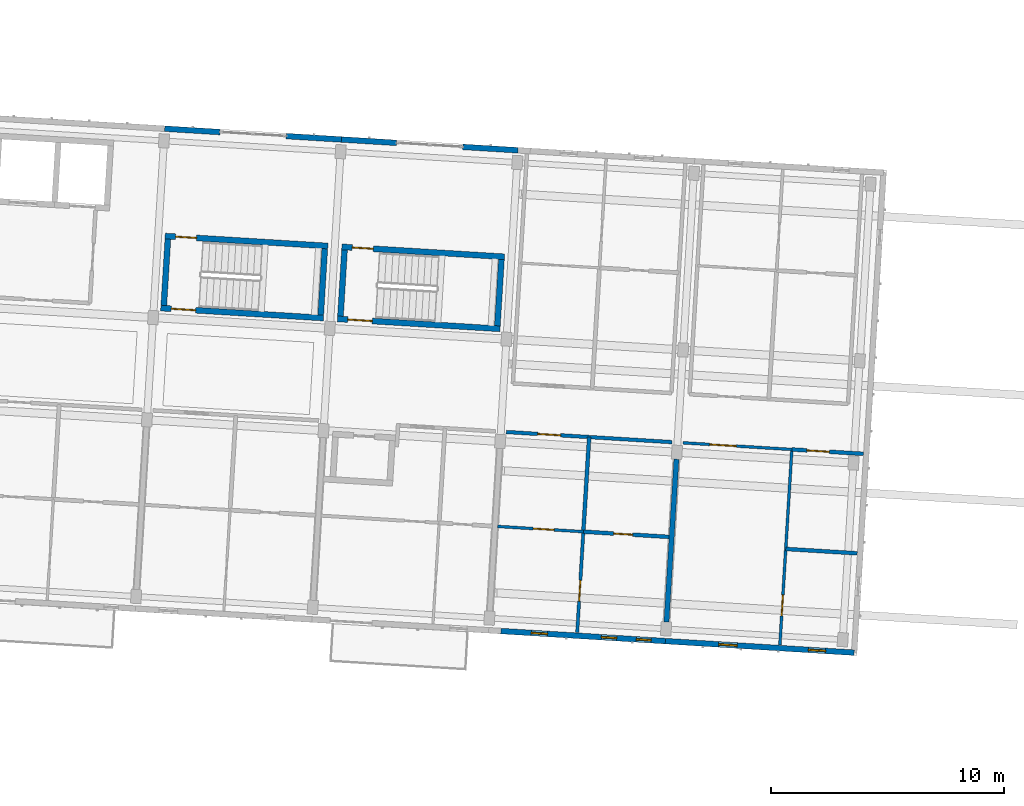
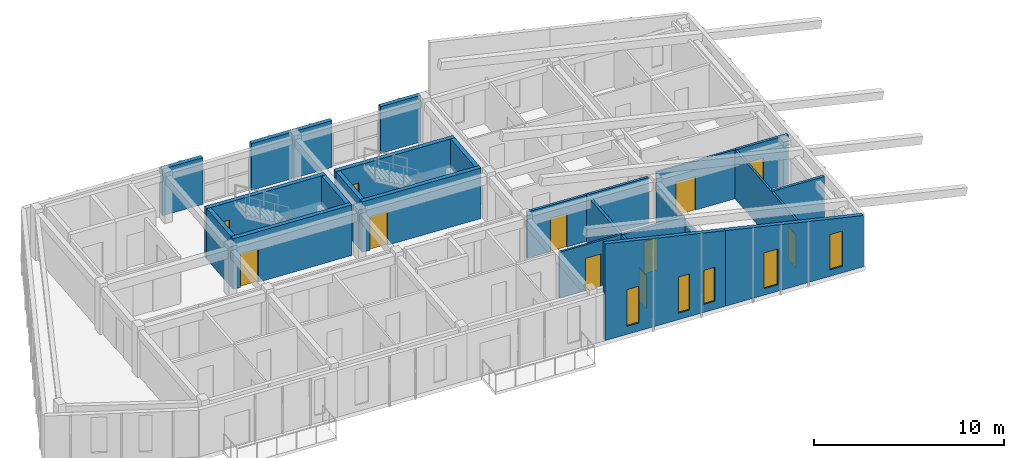
# One storey, part 25 of 56: 24 walls, 11 doors, 5 windows, 16 openings.
"""IFC4 building model written with IfcOpenShell, lengths in metres."""

from ifc_helpers import new_model, si_unit, direction, frame, frame_2d, origin, place, context, subcontext, project, spatial, polyline, rectangle, outline, extrude, material, layer, layer_set, type_object, element, fill, save


model = new_model("IFC4")

# Units and contexts
model_context = context("Model", 3, precision=1e-05, world=origin(), true_north=direction((0.0, 1.0)))
body_context = subcontext(model_context, "Body", "Model", "MODEL_VIEW")
ifc_project = project(units=[si_unit("LENGTHUNIT", "METRE"), si_unit("AREAUNIT", "SQUARE_METRE"), si_unit("VOLUMEUNIT", "CUBIC_METRE"), si_unit("PLANEANGLEUNIT", "RADIAN"), si_unit("MASSUNIT", "GRAM", prefix="KILO")], contexts=[model_context])

# Site, building, storey
site_placement = place(None, origin())
site = spatial("IfcSite", under=ifc_project, at=site_placement, CompositionType="ELEMENT")
building_placement = place(site_placement, origin())
building = spatial("IfcBuilding", under=site, at=building_placement, Name="Kestramere Prow Commons", CompositionType="ELEMENT")
storey_placement = place(building_placement, frame((0.0, 0.0, 27.89990234375)))
storey = spatial("IfcBuildingStorey", under=building, at=storey_placement, Name="L08", CompositionType="ELEMENT", Elevation=27.89990234375)

# Wall, openings, windows
ifc_material_1 = material(Name="Fluoropolymer Standing-Seam Zinc-Aluminium Cladding", Category="aluminium")
ifc_layer_1 = layer(ifc_material_1, 0.239990234375)
ifc_layer_set_1 = layer_set([ifc_layer_1], Name="Fluoropolymer Standing-Seam Zinc-Aluminium Cladding")
wall_type_1 = type_object("IfcWallType", Name="EW-SEAM-240", PredefinedType="SOLIDWALL", material=ifc_layer_set_1)
wall_1_placement = place(storey_placement, frame((89.811279296875, 44.1201171875, 0.0), z_axis=(0.0, 0.0, 1.0), x_axis=(-0.998135069216, 0.061044111925, 0.0)))
wall_1 = element("IfcWall", 1, at=wall_1_placement, inside=storey, type_object=wall_type_1, Name="Block C L08 South Standing-Seam Wall 4", PredefinedType="SOLIDWALL", context=body_context, shape_type="SweptSolid", body=[
    extrude(outline(polyline([(0.0, 0.0), (7.074951171875, 0.0), (7.074951171875, 6.22216796875), (0.0, 4.86083984375), (0.0, 0.0)])), frame((0.0, 0.1201171875, 0.0), z_axis=(0.0, -1.0, 0.0), x_axis=(1.0, 0.0, 0.0)), (0.0, 0.0, 1.0), 0.239990234375),
])
opening_1_placement = place(wall_1_placement, frame((0.610107421875, 0.0, 0.52001953125)))
opening_1 = element("IfcOpeningElement", 2, at=opening_1_placement, cuts=wall_1, Name="Opening WN-04", PredefinedType="OPENING", context=body_context, shape_type="SweptSolid", body=[
    extrude(rectangle(XDim=0.639892578125, YDim=2.179931640625, at=frame_2d((0.31982421875, 1.08984375))), frame((0.0, 0.135009765625, 0.0), z_axis=(0.0, -1.0, 0.0), x_axis=(1.0, 0.0, 0.0)), (0.0, 0.0, 1.0), 0.27001953125),
])
opening_2_placement = place(wall_1_placement, frame((2.092041015625, 0.0, 0.419921875)))
opening_2 = element("IfcOpeningElement", 3, at=opening_2_placement, cuts=wall_1, Name="Opening WN-05", PredefinedType="OPENING", context=body_context, shape_type="SweptSolid", body=[
    extrude(rectangle(XDim=0.659912109375, YDim=2.320068359375, at=frame_2d((0.330078125, 1.16015625))), frame((0.0, 0.135009765625, 0.0), z_axis=(0.0, -1.0, 0.0), x_axis=(1.0, 0.0, 0.0)), (0.0, 0.0, 1.0), 0.27001953125),
])
opening_3_placement = place(wall_1_placement, frame((5.069091796875, 0.0, 0.52001953125)))
opening_3 = element("IfcOpeningElement", 4, at=opening_3_placement, cuts=wall_1, Name="Opening WN-07", PredefinedType="OPENING", context=body_context, shape_type="SweptSolid", body=[
    extrude(rectangle(XDim=0.699951171875, YDim=2.360107421875, at=frame_2d((0.35009765625, 1.18017578125))), frame((0.0, 0.135009765625, 0.0), z_axis=(0.0, -1.0, 0.0), x_axis=(1.0, 0.0, 0.0)), (0.0, 0.0, 1.0), 0.27001953125),
])
ifc_material_2 = material(Name="Low-E Laminated Double Glazing", Category="glass")
window_type_1 = type_object("IfcWindowType", Name="WN-NAR-640A", PartitioningType="SINGLE_PANEL", PredefinedType="WINDOW", material=ifc_material_2)
window_1_placement = place(opening_1_placement, origin())
window_1 = element("IfcWindow", 5, at=window_1_placement, inside=storey, type_object=window_type_1, Name="WN-C-L08-S-3-00", OverallHeight=2.179931640625, OverallWidth=0.639892578125, PartitioningType="SINGLE_PANEL", PredefinedType="WINDOW", context=body_context, shape_type="SweptSolid", body=[
    extrude(rectangle(XDim=0.639892578125, YDim=2.179931640625, at=frame_2d((0.31982421875, 1.08984375))), frame((0.0, 0.030029296875, 0.0), z_axis=(0.0, -1.0, 0.0), x_axis=(1.0, 0.0, 0.0)), (0.0, 0.0, 1.0), 0.06005859375),
])
fill(opening_1, window_1)
window_type_2 = type_object("IfcWindowType", Name="WN-NAR-660A", PartitioningType="SINGLE_PANEL", PredefinedType="WINDOW", material=ifc_material_2)
window_2_placement = place(opening_2_placement, origin())
window_2 = element("IfcWindow", 6, at=window_2_placement, inside=storey, type_object=window_type_2, Name="WN-C-L08-S-3-01", OverallHeight=2.320068359375, OverallWidth=0.659912109375, PartitioningType="SINGLE_PANEL", PredefinedType="WINDOW", context=body_context, shape_type="SweptSolid", body=[
    extrude(rectangle(XDim=0.659912109375, YDim=2.320068359375, at=frame_2d((0.330078125, 1.16015625))), frame((0.0, 0.030029296875, 0.0), z_axis=(0.0, -1.0, 0.0), x_axis=(1.0, 0.0, 0.0)), (0.0, 0.0, 1.0), 0.06005859375),
])
fill(opening_2, window_2)
window_type_3 = type_object("IfcWindowType", Name="WN-NAR-700A", PartitioningType="SINGLE_PANEL", PredefinedType="WINDOW", material=ifc_material_2)
window_3_placement = place(opening_3_placement, origin())
window_3 = element("IfcWindow", 7, at=window_3_placement, inside=storey, type_object=window_type_3, Name="WN-C-L08-S-3-10", OverallHeight=2.360107421875, OverallWidth=0.699951171875, PartitioningType="SINGLE_PANEL", PredefinedType="WINDOW", context=body_context, shape_type="SweptSolid", body=[
    extrude(rectangle(XDim=0.699951171875, YDim=2.360107421875, at=frame_2d((0.35009765625, 1.18017578125))), frame((0.0, 0.030029296875, 0.0), z_axis=(0.0, -1.0, 0.0), x_axis=(1.0, 0.0, 0.0)), (0.0, 0.0, 1.0), 0.06005859375),
])
fill(opening_3, window_3)

wall_2_placement = place(storey_placement, frame((97.921142578125, 43.6240234375, 0.0), z_axis=(0.0, 0.0, 1.0), x_axis=(-0.998134248939, 0.061057522844, 0.0)))
wall_2 = element("IfcWall", 8, at=wall_2_placement, inside=storey, type_object=wall_type_1, Name="Block C L08 South Standing-Seam Wall 5", PredefinedType="SOLIDWALL", context=body_context, shape_type="SweptSolid", body=[
    extrude(outline(polyline([(0.0, 0.0), (8.125, 0.0), (8.125, 4.86083984375), (0.0, 3.297607421875), (0.0, 0.0)])), frame((0.0, 0.1201171875, 0.0), z_axis=(0.0, -1.0, 0.0), x_axis=(1.0, 0.0, 0.0)), (0.0, 0.0, 1.0), 0.239990234375),
])
opening_4_placement = place(wall_2_placement, frame((1.229736328125, 0.0, 0.419921875)))
opening_4 = element("IfcOpeningElement", 9, at=opening_4_placement, cuts=wall_2, Name="Opening WN-09", PredefinedType="OPENING", context=body_context, shape_type="SweptSolid", body=[
    extrude(rectangle(XDim=0.739990234375, YDim=2.260009765625, at=frame_2d((0.3701171875, 1.1298828125))), frame((0.0, 0.135009765625, 0.0), z_axis=(0.0, -1.0, 0.0), x_axis=(1.0, 0.0, 0.0)), (0.0, 0.0, 1.0), 0.27001953125),
])
opening_5_placement = place(wall_2_placement, frame((5.034912109375, 0.0, 0.419921875)))
opening_5 = element("IfcOpeningElement", 10, at=opening_5_placement, cuts=wall_2, Name="Opening WN-12", PredefinedType="OPENING", context=body_context, shape_type="SweptSolid", body=[
    extrude(rectangle(XDim=0.800048828125, YDim=2.300048828125, at=frame_2d((0.39990234375, 1.14990234375))), frame((0.0, 0.135009765625, 0.0), z_axis=(0.0, -1.0, 0.0), x_axis=(1.0, 0.0, 0.0)), (0.0, 0.0, 1.0), 0.27001953125),
])
window_type_4 = type_object("IfcWindowType", Name="WN-NAR-740A", PartitioningType="SINGLE_PANEL", PredefinedType="WINDOW", material=ifc_material_2)
window_4_placement = place(opening_4_placement, origin())
window_4 = element("IfcWindow", 11, at=window_4_placement, inside=storey, type_object=window_type_4, Name="WN-C-L08-S-4-00", OverallHeight=2.260009765625, OverallWidth=0.739990234375, PartitioningType="SINGLE_PANEL", PredefinedType="WINDOW", context=body_context, shape_type="SweptSolid", body=[
    extrude(rectangle(XDim=0.739990234375, YDim=2.260009765625, at=frame_2d((0.3701171875, 1.1298828125))), frame((0.0, 0.030029296875, 0.0), z_axis=(0.0, -1.0, 0.0), x_axis=(1.0, 0.0, 0.0)), (0.0, 0.0, 1.0), 0.06005859375),
])
fill(opening_4, window_4)
window_type_5 = type_object("IfcWindowType", Name="WN-NAR-800A", PartitioningType="SINGLE_PANEL", PredefinedType="WINDOW", material=ifc_material_2)
window_5_placement = place(opening_5_placement, origin())
window_5 = element("IfcWindow", 12, at=window_5_placement, inside=storey, type_object=window_type_5, Name="WN-C-L08-S-4-10", OverallHeight=2.300048828125, OverallWidth=0.800048828125, PartitioningType="SINGLE_PANEL", PredefinedType="WINDOW", context=body_context, shape_type="SweptSolid", body=[
    extrude(rectangle(XDim=0.800048828125, YDim=2.300048828125, at=frame_2d((0.39990234375, 1.14990234375))), frame((0.0, 0.030029296875, 0.0), z_axis=(0.0, -1.0, 0.0), x_axis=(1.0, 0.0, 0.0)), (0.0, 0.0, 1.0), 0.06005859375),
])
fill(opening_5, window_5)

# Walls
wall_3_placement = place(storey_placement, frame((68.314453125, 66.12353515625, 0.0), z_axis=(0.0, 0.0, 1.0), x_axis=(0.998134103342, -0.061059902923, 0.0)))
element("IfcWall", 13, at=wall_3_placement, inside=storey, type_object=wall_type_1, Name="Block C L08 North Standing-Seam Pier 2L", PredefinedType="SOLIDWALL", context=body_context, shape_type="SweptSolid", body=[
    extrude(rectangle(XDim=2.375, YDim=0.239990234375, at=frame_2d((1.1875, 0.0))), origin(), (0.0, 0.0, 1.0), 3.0),
])
wall_4_placement = place(storey_placement, frame((73.52978515625, 65.804443359375, 0.0), z_axis=(0.0, 0.0, 1.0), x_axis=(0.998133720034, -0.061066168473, 0.0)))
element("IfcWall", 14, at=wall_4_placement, inside=storey, type_object=wall_type_1, Name="Block C L08 North Standing-Seam Pier 2R", PredefinedType="SOLIDWALL", context=body_context, shape_type="SweptSolid", body=[
    extrude(rectangle(XDim=2.374755859375, YDim=0.239990234375, at=frame_2d((1.1875, 0.0))), origin(), (0.0, 0.0, 1.0), 3.0),
])
for number, where, z_axis, x_axis, name in (
    (15, (75.900146484375, 65.659423828125, 0.0), (0.0, 0.0, 1.0), (0.998140363035, -0.06095749076, 0.0), "Block C L08 North Standing-Seam Pier 3L"),
    (16, (81.115478515625, 65.340576171875, 0.0), (0.0, 0.0, 1.0), (0.998134103342, -0.061059902923, 0.0), "Block C L08 North Standing-Seam Pier 3R"),
):
    element("IfcWall", number, at=place(storey_placement, frame(where, z_axis=z_axis, x_axis=x_axis)), inside=storey, type_object=wall_type_1, Name=name, PredefinedType="SOLIDWALL", context=body_context, shape_type="SweptSolid", body=[
        extrude(rectangle(XDim=2.375, YDim=0.239990234375, at=frame_2d((1.1875, 0.0))), origin(), (0.0, 0.0, 1.0), 3.0),
    ])

# Wall, opening, door
ifc_material_3 = material(Name="Concrete C40/50", Category="concrete")
ifc_layer_2 = layer(ifc_material_3, 0.25)
ifc_layer_set_2 = layer_set([ifc_layer_2], Name="Concrete C40/50")
wall_type_2 = type_object("IfcWallType", Name="W-CORE-250", PredefinedType="SHEAR", material=ifc_layer_set_2)
wall_5_placement = place(storey_placement, frame((68.3330078125, 61.513671875, 0.0), z_axis=(0.0, 0.0, 1.0), x_axis=(0.998135676081, -0.061034188237, 0.0)))
wall_5 = element("IfcWall", 17, at=wall_5_placement, inside=storey, type_object=wall_type_2, Name="ST-C1 L08 North Shaft Wall", PredefinedType="SHEAR", context=body_context, shape_type="SweptSolid", body=[
    extrude(rectangle(XDim=7.0, YDim=0.25, at=frame_2d((3.5, 0.0))), origin(), (0.0, 0.0, 1.0), 3.25),
])
opening_6_placement = place(wall_5_placement, frame((0.449951171875, 0.0, 0.0)))
opening_6 = element("IfcOpeningElement", 18, at=opening_6_placement, cuts=wall_5, Name="Opening ID-08", PredefinedType="OPENING", context=body_context, shape_type="SweptSolid", body=[
    extrude(rectangle(XDim=0.89990234375, YDim=2.10009765625, at=frame_2d((0.449951171875, 1.050048828125))), frame((0.0, 0.139892578125, 0.0), z_axis=(0.0, -1.0, 0.0), x_axis=(1.0, 0.0, 0.0)), (0.0, 0.0, 1.0), 0.280029296875),
])
ifc_material_4 = material(Name="Engineered Timber Flush Door", Category="wood")
door_type_1 = type_object("IfcDoorType", Name="D-RM-01", OperationType="NOTDEFINED", PredefinedType="DOOR", material=ifc_material_4)
door_1_placement = place(opening_6_placement, origin())
door_1 = element("IfcDoor", 19, at=door_1_placement, inside=storey, type_object=door_type_1, Name="ST-C1 L08 North Room Door", OperationType="SINGLE_SWING_RIGHT", OverallHeight=2.10009765625, OverallWidth=0.89990234375, PredefinedType="DOOR", context=body_context, shape_type="SweptSolid", body=[
    extrude(rectangle(XDim=0.89990234375, YDim=2.10009765625, at=frame_2d((0.449951171875, 1.050048828125))), frame((0.0, 0.02490234375, 0.0), z_axis=(0.0, -1.0, 0.0), x_axis=(1.0, 0.0, 0.0)), (0.0, 0.0, 1.0), 0.050048828125),
])
fill(opening_6, door_1)

wall_6_placement = place(storey_placement, frame((68.143798828125, 58.41943359375, 0.0), z_axis=(0.0, 0.0, 1.0), x_axis=(0.998135546153, -0.061036313012, 0.0)))
wall_6 = element("IfcWall", 20, at=wall_6_placement, inside=storey, type_object=wall_type_2, Name="ST-C1 L08 Corridor Shaft Wall", PredefinedType="SHEAR", context=body_context, shape_type="SweptSolid", body=[
    extrude(rectangle(XDim=6.999755859375, YDim=0.25, at=frame_2d((3.5, 0.0))), origin(), (0.0, 0.0, 1.0), 3.25),
])
opening_7_placement = place(wall_6_placement, frame((0.449951171875, 0.0, 0.0)))
opening_7 = element("IfcOpeningElement", 21, at=opening_7_placement, cuts=wall_6, Name="Opening ID-01", PredefinedType="OPENING", context=body_context, shape_type="SweptSolid", body=[
    extrude(rectangle(XDim=1.050048828125, YDim=2.14990234375, at=frame_2d((0.52490234375, 1.074951171875))), frame((0.0, 0.139892578125, 0.0), z_axis=(0.0, -1.0, 0.0), x_axis=(1.0, 0.0, 0.0)), (0.0, 0.0, 1.0), 0.280029296875),
])
ifc_material_5 = material(Name="Fire-Rated Timber and Steel Frame", Category="steel")
door_type_2 = type_object("IfcDoorType", Name="FD-ST-01", OperationType="NOTDEFINED", PredefinedType="DOOR", material=ifc_material_5)
door_2_placement = place(opening_7_placement, origin())
door_2 = element("IfcDoor", 22, at=door_2_placement, inside=storey, type_object=door_type_2, Name="ST-C1 L08 Protected Stair Door", OperationType="SINGLE_SWING_LEFT", OverallHeight=2.14990234375, OverallWidth=1.050048828125, PredefinedType="DOOR", context=body_context, shape_type="SweptSolid", body=[
    extrude(rectangle(XDim=1.050048828125, YDim=2.14990234375, at=frame_2d((0.52490234375, 1.074951171875))), frame((0.0, 0.02490234375, 0.0), z_axis=(0.0, -1.0, 0.0), x_axis=(1.0, 0.0, 0.0)), (0.0, 0.0, 1.0), 0.050048828125),
])
fill(opening_7, door_2)

# Walls
for number, where, z_axis, x_axis, name in (
    (23, (68.276123046875, 58.53662109375, 0.0), (0.0, 0.0, 1.0), (0.06107697143, 0.998133059046, 0.0), "ST-C1 L08 Near Shaft Wall"),
    (24, (75.013671875, 58.12451171875, 0.0), (0.0, 0.0, 1.0), (0.060991628362, 0.99813827763, 0.0), "ST-C1 L08 Far Shaft Wall"),
):
    element("IfcWall", number, at=place(storey_placement, frame(where, z_axis=z_axis, x_axis=x_axis)), inside=storey, type_object=wall_type_2, Name=name, PredefinedType="SHEAR", context=body_context, shape_type="SweptSolid", body=[
        extrude(rectangle(XDim=2.85009765625, YDim=0.25, at=frame_2d((1.425048828125, 0.0))), origin(), (0.0, 0.0, 1.0), 3.25),
    ])

# Wall, opening, door
wall_7_placement = place(storey_placement, frame((75.9189453125, 61.0498046875, 0.0), z_axis=(0.0, 0.0, 1.0), x_axis=(0.998135546153, -0.061036313012, 0.0)))
wall_7 = element("IfcWall", 25, at=wall_7_placement, inside=storey, type_object=wall_type_2, Name="ST-C2 L08 North Shaft Wall", PredefinedType="SHEAR", context=body_context, shape_type="SweptSolid", body=[
    extrude(rectangle(XDim=6.999755859375, YDim=0.25, at=frame_2d((3.5, 0.0))), origin(), (0.0, 0.0, 1.0), 3.25),
])
opening_8_placement = place(wall_7_placement, frame((0.449951171875, 0.0, 0.0)))
opening_8 = element("IfcOpeningElement", 26, at=opening_8_placement, cuts=wall_7, Name="Opening ID-08", PredefinedType="OPENING", context=body_context, shape_type="SweptSolid", body=[
    extrude(rectangle(XDim=0.89990234375, YDim=2.10009765625, at=frame_2d((0.449951171875, 1.050048828125))), frame((0.0, 0.139892578125, 0.0), z_axis=(0.0, -1.0, 0.0), x_axis=(1.0, 0.0, 0.0)), (0.0, 0.0, 1.0), 0.280029296875),
])
door_3_placement = place(opening_8_placement, origin())
door_3 = element("IfcDoor", 27, at=door_3_placement, inside=storey, type_object=door_type_1, Name="ST-C2 L08 North Room Door", OperationType="SINGLE_SWING_RIGHT", OverallHeight=2.10009765625, OverallWidth=0.89990234375, PredefinedType="DOOR", context=body_context, shape_type="SweptSolid", body=[
    extrude(rectangle(XDim=0.89990234375, YDim=2.10009765625, at=frame_2d((0.449951171875, 1.050048828125))), frame((0.0, 0.02490234375, 0.0), z_axis=(0.0, -1.0, 0.0), x_axis=(1.0, 0.0, 0.0)), (0.0, 0.0, 1.0), 0.050048828125),
])
fill(opening_8, door_3)

wall_8_placement = place(storey_placement, frame((75.729736328125, 57.95556640625, 0.0), z_axis=(0.0, 0.0, 1.0), x_axis=(0.998135546153, -0.061036313012, 0.0)))
wall_8 = element("IfcWall", 28, at=wall_8_placement, inside=storey, type_object=wall_type_2, Name="ST-C2 L08 Corridor Shaft Wall", PredefinedType="SHEAR", context=body_context, shape_type="SweptSolid", body=[
    extrude(rectangle(XDim=6.999755859375, YDim=0.25, at=frame_2d((3.5, 0.0))), origin(), (0.0, 0.0, 1.0), 3.25),
])
opening_9_placement = place(wall_8_placement, frame((0.449951171875, 0.0, 0.0)))
opening_9 = element("IfcOpeningElement", 29, at=opening_9_placement, cuts=wall_8, Name="Opening ID-01", PredefinedType="OPENING", context=body_context, shape_type="SweptSolid", body=[
    extrude(rectangle(XDim=1.050048828125, YDim=2.14990234375, at=frame_2d((0.52490234375, 1.074951171875))), frame((0.0, 0.139892578125, 0.0), z_axis=(0.0, -1.0, 0.0), x_axis=(1.0, 0.0, 0.0)), (0.0, 0.0, 1.0), 0.280029296875),
])
door_4_placement = place(opening_9_placement, origin())
door_4 = element("IfcDoor", 30, at=door_4_placement, inside=storey, type_object=door_type_2, Name="ST-C2 L08 Protected Stair Door", OperationType="SINGLE_SWING_LEFT", OverallHeight=2.14990234375, OverallWidth=1.050048828125, PredefinedType="DOOR", context=body_context, shape_type="SweptSolid", body=[
    extrude(rectangle(XDim=1.050048828125, YDim=2.14990234375, at=frame_2d((0.52490234375, 1.074951171875))), frame((0.0, 0.02490234375, 0.0), z_axis=(0.0, -1.0, 0.0), x_axis=(1.0, 0.0, 0.0)), (0.0, 0.0, 1.0), 0.050048828125),
])
fill(opening_9, door_4)

# Walls
for number, where, z_axis, x_axis, name in (
    (31, (75.862060546875, 58.07275390625, 0.0), (0.0, 0.0, 1.0), (0.060991628362, 0.99813827763, 0.0), "ST-C2 L08 Near Shaft Wall"),
    (32, (82.599365234375, 57.66064453125, 0.0), (0.0, 0.0, 1.0), (0.06107697143, 0.998133059046, 0.0), "ST-C2 L08 Far Shaft Wall"),
):
    element("IfcWall", number, at=place(storey_placement, frame(where, z_axis=z_axis, x_axis=x_axis)), inside=storey, type_object=wall_type_2, Name=name, PredefinedType="SHEAR", context=body_context, shape_type="SweptSolid", body=[
        extrude(rectangle(XDim=2.85009765625, YDim=0.25, at=frame_2d((1.425048828125, 0.0))), origin(), (0.0, 0.0, 1.0), 3.25),
    ])

# Wall, opening, door
ifc_material_6 = material(Name="Fire-Rated Calcium Silicate Wall")
ifc_layer_3 = layer(ifc_material_6, 0.155029296875)
ifc_layer_set_3 = layer_set([ifc_layer_3], Name="Fire-Rated Calcium Silicate Wall")
wall_type_3 = type_object("IfcWallType", Name="W-FIRE-150", PredefinedType="PARTITIONING", material=ifc_layer_set_3)
wall_9_placement = place(storey_placement, frame((82.981689453125, 53.098876953125, 0.0), z_axis=(0.0, 0.0, 1.0), x_axis=(0.998134569689, -0.061052279168, 0.0)))
wall_9 = element("IfcWall", 33, at=wall_9_placement, inside=storey, type_object=wall_type_3, Name="Interior Partition PW-C-L08-CS-3", PredefinedType="PARTITIONING", context=body_context, shape_type="SweptSolid", body=[
    extrude(rectangle(XDim=7.1298828125, YDim=0.155029296875, at=frame_2d((3.56494140625, 0.0))), origin(), (0.0, 0.0, 1.0), 2.97021484375),
])
opening_10_placement = place(wall_9_placement, frame((1.35498046875, 0.0, 0.0)))
opening_10 = element("IfcOpeningElement", 34, at=opening_10_placement, cuts=wall_9, Name="Opening ID-04", PredefinedType="OPENING", context=body_context, shape_type="SweptSolid", body=[
    extrude(rectangle(XDim=0.97998046875, YDim=2.14990234375, at=frame_2d((0.489990234375, 1.074951171875))), frame((0.0, 0.092529296875, 0.0), z_axis=(0.0, -1.0, 0.0), x_axis=(1.0, 0.0, 0.0)), (0.0, 0.0, 1.0), 0.18505859375),
])
ifc_material_7 = material(Name="Hardwood Fire-Rated Flat Entrance Door", Category="wood")
door_type_3 = type_object("IfcDoorType", Name="FD-ENT-01", OperationType="NOTDEFINED", PredefinedType="DOOR", material=ifc_material_7)
door_5_placement = place(opening_10_placement, origin())
door_5 = element("IfcDoor", 35, at=door_5_placement, inside=storey, type_object=door_type_3, Name="Interior Door DR-C-L08-ENT-S3", OperationType="SINGLE_SWING_RIGHT", OverallHeight=2.14990234375, OverallWidth=0.97998046875, PredefinedType="DOOR", context=body_context, shape_type="SweptSolid", body=[
    extrude(rectangle(XDim=0.97998046875, YDim=2.14990234375, at=frame_2d((0.489990234375, 1.074951171875))), frame((0.0, 0.02490234375, 0.0), z_axis=(0.0, -1.0, 0.0), x_axis=(1.0, 0.0, 0.0)), (0.0, 0.0, 1.0), 0.050048828125),
])
fill(opening_10, door_5)

ifc_material_8 = material(Name="Lightweight Blockwork and Plaster", Category="masonry")
ifc_layer_4 = layer(ifc_material_8, 0.1201171875)
ifc_layer_set_4 = layer_set([ifc_layer_4], Name="Lightweight Blockwork and Plaster")
wall_type_4 = type_object("IfcWallType", Name="W-PART-120", PredefinedType="PARTITIONING", material=ifc_layer_set_4)
wall_10_placement = place(storey_placement, frame((82.61328125, 49.043701171875, 0.0), z_axis=(0.0, 0.0, 1.0), x_axis=(0.998136719672, -0.061017119263, 0.0)))
wall_10 = element("IfcWall", 36, at=wall_10_placement, inside=storey, type_object=wall_type_4, Name="Interior Partition PW-C-L08-MIDS1-3", PredefinedType="PARTITIONING", context=body_context, shape_type="SweptSolid", body=[
    extrude(rectangle(XDim=3.68505859375, YDim=0.1201171875, at=frame_2d((1.842529296875, 0.0))), origin(), (0.0, 0.0, 1.0), 2.97021484375),
])
opening_11_placement = place(wall_10_placement, frame((1.52490234375, 0.0, 0.0)))
opening_11 = element("IfcOpeningElement", 37, at=opening_11_placement, cuts=wall_10, Name="Opening ID-08", PredefinedType="OPENING", context=body_context, shape_type="SweptSolid", body=[
    extrude(rectangle(XDim=0.89990234375, YDim=2.10009765625, at=frame_2d((0.449951171875, 1.050048828125))), frame((0.0, 0.074951171875, 0.0), z_axis=(0.0, -1.0, 0.0), x_axis=(1.0, 0.0, 0.0)), (0.0, 0.0, 1.0), 0.150146484375),
])
door_6_placement = place(opening_11_placement, origin())
door_6 = element("IfcDoor", 38, at=door_6_placement, inside=storey, type_object=door_type_1, Name="Interior Door DR-C-L08-KL-S3", OperationType="SINGLE_SWING_RIGHT", OverallHeight=2.10009765625, OverallWidth=0.89990234375, PredefinedType="DOOR", context=body_context, shape_type="SweptSolid", body=[
    extrude(rectangle(XDim=0.89990234375, YDim=2.10009765625, at=frame_2d((0.449951171875, 1.050048828125))), frame((0.0, 0.02490234375, 0.0), z_axis=(0.0, -1.0, 0.0), x_axis=(1.0, 0.0, 0.0)), (0.0, 0.0, 1.0), 0.050048828125),
])
fill(opening_11, door_6)

wall_11_placement = place(storey_placement, frame((90.5673828125, 52.634765625, 0.0), z_axis=(0.0, 0.0, 1.0), x_axis=(0.998136413786, -0.061022122823, 0.0)))
wall_11 = element("IfcWall", 39, at=wall_11_placement, inside=storey, type_object=wall_type_4, Name="Interior Partition PW-C-L08-CS-4A", PredefinedType="PARTITIONING", context=body_context, shape_type="SweptSolid", body=[
    extrude(rectangle(XDim=4.68505859375, YDim=0.1201171875, at=frame_2d((2.342529296875, 0.0))), origin(), (0.0, 0.0, 1.0), 3.150146484375),
])
opening_12_placement = place(wall_11_placement, frame((1.14990234375, 0.0, 0.0)))
opening_12 = element("IfcOpeningElement", 40, at=opening_12_placement, cuts=wall_11, Name="Opening ID-09", PredefinedType="OPENING", context=body_context, shape_type="SweptSolid", body=[
    extrude(rectangle(XDim=1.14990234375, YDim=2.14990234375, at=frame_2d((0.574951171875, 1.074951171875))), frame((0.0, 0.074951171875, 0.0), z_axis=(0.0, -1.0, 0.0), x_axis=(1.0, 0.0, 0.0)), (0.0, 0.0, 1.0), 0.150146484375),
])
ifc_material_9 = material(Name="Engineered Timber Acoustic Door", Category="wood")
door_type_4 = type_object("IfcDoorType", Name="D-RM-02", OperationType="NOTDEFINED", PredefinedType="DOOR", material=ifc_material_9)
door_7_placement = place(opening_12_placement, origin())
door_7 = element("IfcDoor", 41, at=door_7_placement, inside=storey, type_object=door_type_4, Name="Interior Door DR-C-L08-SKY-4", OperationType="SINGLE_SWING_LEFT", OverallHeight=2.14990234375, OverallWidth=1.14990234375, PredefinedType="DOOR", context=body_context, shape_type="SweptSolid", body=[
    extrude(rectangle(XDim=1.14990234375, YDim=2.14990234375, at=frame_2d((0.574951171875, 1.074951171875))), frame((0.0, 0.02490234375, 0.0), z_axis=(0.0, -1.0, 0.0), x_axis=(1.0, 0.0, 0.0)), (0.0, 0.0, 1.0), 0.050048828125),
])
fill(opening_12, door_7)

wall_12_placement = place(storey_placement, frame((94.730224609375, 43.95458984375, 0.0), z_axis=(0.0, 0.0, 1.0), x_axis=(0.061049859271, 0.998134717702, 0.0)))
wall_12 = element("IfcWall", 42, at=wall_12_placement, inside=storey, type_object=wall_type_4, Name="Interior Partition PW-C-L08-SKDV-4", PredefinedType="PARTITIONING", context=body_context, shape_type="SweptSolid", body=[
    extrude(rectangle(XDim=8.409912109375, YDim=0.1201171875, at=frame_2d((4.205078125, 0.0))), origin(), (0.0, 0.0, 1.0), 3.150146484375),
])
opening_13_placement = place(wall_12_placement, frame((1.25, 0.0, 0.0)))
opening_13 = element("IfcOpeningElement", 43, at=opening_13_placement, cuts=wall_12, Name="Opening ID-08", PredefinedType="OPENING", context=body_context, shape_type="SweptSolid", body=[
    extrude(rectangle(XDim=0.89990234375, YDim=2.10009765625, at=frame_2d((0.449951171875, 1.050048828125))), frame((0.0, 0.074951171875, 0.0), z_axis=(0.0, -1.0, 0.0), x_axis=(1.0, 0.0, 0.0)), (0.0, 0.0, 1.0), 0.150146484375),
])
door_8_placement = place(opening_13_placement, origin())
door_8 = element("IfcDoor", 44, at=door_8_placement, inside=storey, type_object=door_type_1, Name="Interior Door DR-C-L08-SKAL-4", OperationType="SINGLE_SWING_LEFT", OverallHeight=2.10009765625, OverallWidth=0.89990234375, PredefinedType="DOOR", context=body_context, shape_type="SweptSolid", body=[
    extrude(rectangle(XDim=0.89990234375, YDim=2.10009765625, at=frame_2d((0.449951171875, 1.050048828125))), frame((0.0, 0.02490234375, 0.0), z_axis=(0.0, -1.0, 0.0), x_axis=(1.0, 0.0, 0.0)), (0.0, 0.0, 1.0), 0.050048828125),
])
fill(opening_13, door_8)

ifc_material_10 = material(Name="Masonry Compartment Wall", Category="masonry")
ifc_layer_5 = layer(ifc_material_10, 0.139892578125)
ifc_layer_set_5 = layer_set([ifc_layer_5], Name="Masonry Compartment Wall")
wall_type_5 = type_object("IfcWallType", Name="W-PART-140", PredefinedType="PARTITIONING", material=ifc_layer_set_5)
wall_13_placement = place(storey_placement, frame((86.026611328125, 44.48681640625, 0.0), z_axis=(0.0, 0.0, 1.0), x_axis=(0.06103343432, 0.998135722182, 0.0)))
wall_13 = element("IfcWall", 45, at=wall_13_placement, inside=storey, type_object=wall_type_5, Name="Interior Partition PW-C-L08-LB-S3", PredefinedType="PARTITIONING", context=body_context, shape_type="SweptSolid", body=[
    extrude(rectangle(XDim=4.340087890625, YDim=0.139892578125, at=frame_2d((2.169921875, 0.0))), origin(), (0.0, 0.0, 1.0), 2.97021484375),
])
opening_14_placement = place(wall_13_placement, frame((1.35009765625, 0.0, 0.0)))
opening_14 = element("IfcOpeningElement", 46, at=opening_14_placement, cuts=wall_13, Name="Opening ID-08", PredefinedType="OPENING", context=body_context, shape_type="SweptSolid", body=[
    extrude(rectangle(XDim=0.89990234375, YDim=2.10009765625, at=frame_2d((0.449951171875, 1.050048828125))), frame((0.0, 0.0849609375, 0.0), z_axis=(0.0, -1.0, 0.0), x_axis=(1.0, 0.0, 0.0)), (0.0, 0.0, 1.0), 0.169921875),
])
door_9_placement = place(opening_14_placement, origin())
door_9 = element("IfcDoor", 47, at=door_9_placement, inside=storey, type_object=door_type_1, Name="Interior Door DR-C-L08-BED-S3", OperationType="SINGLE_SWING_RIGHT", OverallHeight=2.10009765625, OverallWidth=0.89990234375, PredefinedType="DOOR", context=body_context, shape_type="SweptSolid", body=[
    extrude(rectangle(XDim=0.89990234375, YDim=2.10009765625, at=frame_2d((0.449951171875, 1.050048828125))), frame((0.0, 0.02490234375, 0.0), z_axis=(0.0, -1.0, 0.0), x_axis=(1.0, 0.0, 0.0)), (0.0, 0.0, 1.0), 0.050048828125),
])
fill(opening_14, door_9)

ifc_material_11 = material(Name="Waterproof Sanitary Masonry Wall", Category="masonry")
ifc_layer_6 = layer(ifc_material_11, 0.1650390625)
ifc_layer_set_6 = layer_set([ifc_layer_6], Name="Waterproof Sanitary Masonry Wall")
wall_type_6 = type_object("IfcWallType", Name="W-PLUMB-150", PredefinedType="PLUMBINGWALL", material=ifc_layer_set_6)
wall_14_placement = place(storey_placement, frame((86.29150390625, 48.81884765625, 0.0), z_axis=(0.0, 0.0, 1.0), x_axis=(0.998132682596, -0.061083123148, 0.0)))
wall_14 = element("IfcWall", 48, at=wall_14_placement, inside=storey, type_object=wall_type_6, Name="Interior Partition PW-C-L08-MIDS2-3", PredefinedType="PLUMBINGWALL", context=body_context, shape_type="SweptSolid", body=[
    extrude(rectangle(XDim=3.68505859375, YDim=0.1650390625, at=frame_2d((1.842529296875, 0.0))), origin(), (0.0, 0.0, 1.0), 2.97021484375),
])
opening_15_placement = place(wall_14_placement, frame((1.300048828125, 0.0, 0.0)))
opening_15 = element("IfcOpeningElement", 49, at=opening_15_placement, cuts=wall_14, Name="Opening ID-11", PredefinedType="OPENING", context=body_context, shape_type="SweptSolid", body=[
    extrude(rectangle(XDim=0.820068359375, YDim=2.080078125, at=frame_2d((0.41015625, 1.0400390625))), frame((0.0, 0.097412109375, 0.0), z_axis=(0.0, -1.0, 0.0), x_axis=(1.0, 0.0, 0.0)), (0.0, 0.0, 1.0), 0.195068359375),
])
ifc_material_12 = material(Name="Moisture-Resistant Timber Bathroom Door", Category="wood")
door_type_5 = type_object("IfcDoorType", Name="D-BT-01", OperationType="NOTDEFINED", PredefinedType="DOOR", material=ifc_material_12)
door_10_placement = place(opening_15_placement, origin())
door_10 = element("IfcDoor", 50, at=door_10_placement, inside=storey, type_object=door_type_5, Name="Interior Door DR-C-L08-BTH-S3", OperationType="SINGLE_SWING_LEFT", OverallHeight=2.080078125, OverallWidth=0.820068359375, PredefinedType="DOOR", context=body_context, shape_type="SweptSolid", body=[
    extrude(rectangle(XDim=0.820068359375, YDim=2.080078125, at=frame_2d((0.41015625, 1.0400390625))), frame((0.0, 0.02490234375, 0.0), z_axis=(0.0, -1.0, 0.0), x_axis=(1.0, 0.0, 0.0)), (0.0, 0.0, 1.0), 0.050048828125),
])
fill(opening_15, door_10)

# Wall
wall_15_placement = place(storey_placement, frame((86.29150390625, 48.81884765625, 0.0), z_axis=(0.0, 0.0, 1.0), x_axis=(0.061067374954, 0.99813364622, 0.0)))
element("IfcWall", 51, at=wall_15_placement, inside=storey, type_object=wall_type_6, Name="Interior Partition PW-C-L08-KB-S3", PredefinedType="PLUMBINGWALL", context=body_context, shape_type="SweptSolid", body=[
    extrude(rectangle(XDim=4.06982421875, YDim=0.1650390625, at=frame_2d((2.034912109375, 0.0))), origin(), (0.0, 0.0, 1.0), 2.97021484375),
])

# Wall, opening, door
wall_16_placement = place(storey_placement, frame((95.24365234375, 52.348876953125, 0.0), z_axis=(0.0, 0.0, 1.0), x_axis=(0.998134491017, -0.061053565351, 0.0)))
wall_16 = element("IfcWall", 52, at=wall_16_placement, inside=storey, type_object=wall_type_6, Name="Interior Partition PW-C-L08-CS-4B", PredefinedType="PLUMBINGWALL", context=body_context, shape_type="SweptSolid", body=[
    extrude(rectangle(XDim=3.074951171875, YDim=0.1650390625, at=frame_2d((1.53759765625, 0.0))), origin(), (0.0, 0.0, 1.0), 3.150146484375),
])
opening_16_placement = place(wall_16_placement, frame((0.64990234375, 0.0, 0.0)))
opening_16 = element("IfcOpeningElement", 53, at=opening_16_placement, cuts=wall_16, Name="Opening ID-13", PredefinedType="OPENING", context=body_context, shape_type="SweptSolid", body=[
    extrude(rectangle(XDim=0.9599609375, YDim=2.1201171875, at=frame_2d((0.47998046875, 1.06005859375))), frame((0.0, 0.097412109375, 0.0), z_axis=(0.0, -1.0, 0.0), x_axis=(1.0, 0.0, 0.0)), (0.0, 0.0, 1.0), 0.195068359375),
])
ifc_material_13 = material(Name="Accessible Wide-Leaf Timber Door", Category="wood")
door_type_6 = type_object("IfcDoorType", Name="D-ACC-01", OperationType="NOTDEFINED", PredefinedType="DOOR", material=ifc_material_13)
door_11_placement = place(opening_16_placement, origin())
door_11 = element("IfcDoor", 54, at=door_11_placement, inside=storey, type_object=door_type_6, Name="Interior Door DR-C-L08-SKWC-4", OperationType="SINGLE_SWING_RIGHT", OverallHeight=2.1201171875, OverallWidth=0.9599609375, PredefinedType="DOOR", context=body_context, shape_type="SweptSolid", body=[
    extrude(rectangle(XDim=0.9599609375, YDim=2.1201171875, at=frame_2d((0.47998046875, 1.06005859375))), frame((0.0, 0.02490234375, 0.0), z_axis=(0.0, -1.0, 0.0), x_axis=(1.0, 0.0, 0.0)), (0.0, 0.0, 1.0), 0.050048828125),
])
fill(opening_16, door_11)

# Walls
wall_17_placement = place(storey_placement, frame((94.982421875, 48.076904296875, 0.0), z_axis=(0.0, 0.0, 1.0), x_axis=(0.998134491017, -0.061053565351, 0.0)))
element("IfcWall", 55, at=wall_17_placement, inside=storey, type_object=wall_type_6, Name="Interior Partition PW-C-L08-SKHZ-4", PredefinedType="PLUMBINGWALL", context=body_context, shape_type="SweptSolid", body=[
    extrude(rectangle(XDim=3.074951171875, YDim=0.1650390625, at=frame_2d((1.53759765625, 0.0))), origin(), (0.0, 0.0, 1.0), 3.150146484375),
])
ifc_material_14 = material(Name="Precast concrete C40/50", Category="concrete")
ifc_layer_7 = layer(ifc_material_14, 0.219970703125)
ifc_layer_set_7 = layer_set([ifc_layer_7], Name="Precast concrete C40/50")
wall_type_7 = type_object("IfcWallType", Name="W-XWALL-220", PredefinedType="SHEAR", material=ifc_layer_set_7)
wall_18_placement = place(storey_placement, frame((89.861572265625, 44.943603515625, 0.0), z_axis=(0.0, 0.0, 1.0), x_axis=(0.061071060859, 0.998133420704, 0.0)))
element("IfcWall", 56, at=wall_18_placement, inside=storey, type_object=wall_type_7, Name="Block C L08 Precast Cross-Wall 4", PredefinedType="SHEAR", context=body_context, shape_type="SweptSolid", body=[
    extrude(rectangle(XDim=7.0, YDim=0.219970703125, at=frame_2d((3.5, 0.0))), origin(), (0.0, 0.0, 1.0), 2.5),
])

save(model, "model.ifc")
